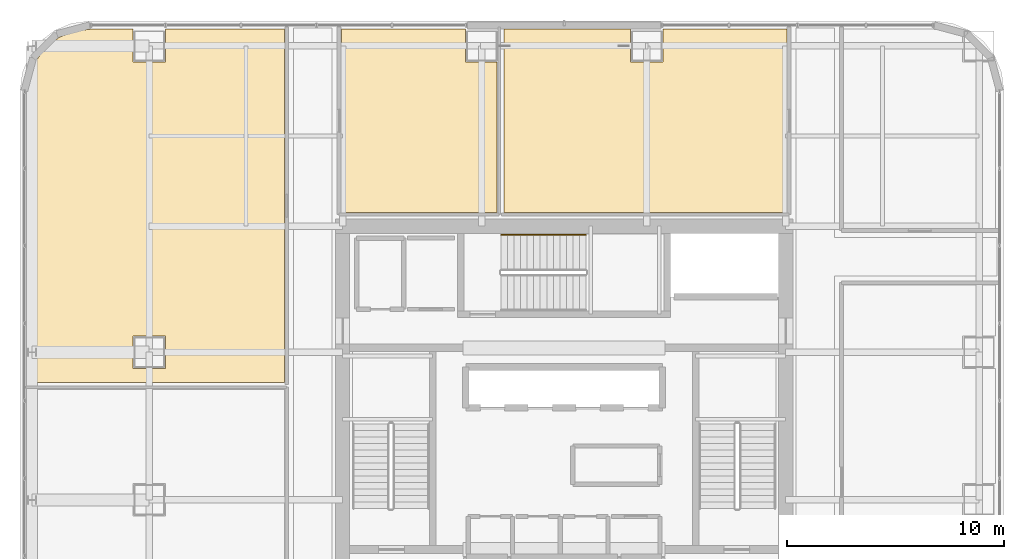
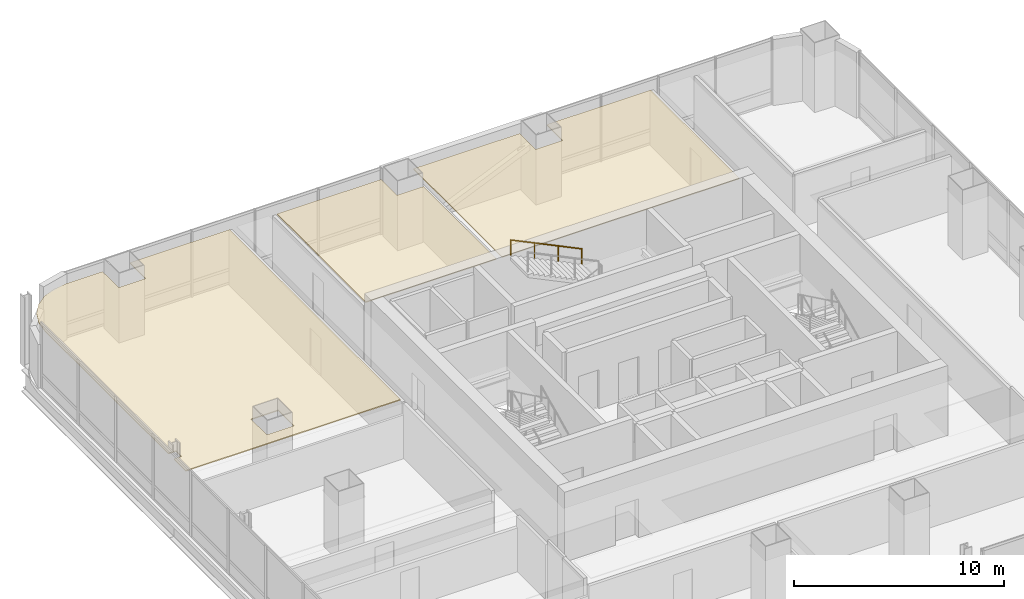
# One storey, part 36 of 38: 3 coverings, 1 railing.
"""IFC4 building model written with IfcOpenShell, lengths in metres."""

import ifcopenshell
import ifcopenshell.guid

model = None  # the IFC model being written
_history = None  # IfcOwnerHistory: only IFC2X3 demands one
_inside = {}  # id of a spatial element -> (the spatial element, [elements in it])
_under = {}  # id of a project, library or spatial element -> (it, [spatial elements below it])
_declared = {}  # id of a project -> (the project, [libraries it declares])
_typed = {}  # id of a type object -> (the type object, [elements of that type])
_made_of = {}  # id of a material, layer set ... -> (it, [elements and type objects made of it])


def new_model(schema):
    """Start an empty IFC model of exactly this schema.

    Asked for "IFC4X3", IfcOpenShell would pick the latest addendum, in which some entities
    have other attributes; the version numbers below select the first issue.
    IFC2X3 requires an IfcOwnerHistory on every rooted entity: one is made here for all.
    """
    global model, _history
    if schema == "IFC4X3":
        model = ifcopenshell.file(schema_version=(4, 3, 0, 0))
    else:
        model = ifcopenshell.file(schema=schema)
    _inside.clear()
    _under.clear()
    _declared.clear()
    _typed.clear()
    _made_of.clear()
    _history = None
    if model.schema == "IFC2X3":
        org = make("IfcOrganization", Name="unknown")
        user = make(
            "IfcPersonAndOrganization",
            ThePerson=make("IfcPerson", FamilyName="unknown"),
            TheOrganization=org,
        )
        app = make(
            "IfcApplication",
            ApplicationDeveloper=org,
            Version="unknown",
            ApplicationFullName="unknown",
            ApplicationIdentifier="unknown",
        )
        _history = make(
            "IfcOwnerHistory",
            OwningUser=user,
            OwningApplication=app,
            ChangeAction="ADDED",
            CreationDate=0,
        )
    return model


def make(cls, **values):
    """One entity of the class cls with the attributes given. An attribute that is None is left unset."""
    return model.create_entity(
        cls, **{name: value for name, value in values.items() if value is not None}
    )


def rooted(cls, **values):
    """An entity with a GlobalId (a new one), such as an element, a storey or a relation."""
    return make(cls, GlobalId=ifcopenshell.guid.new(), OwnerHistory=_history, **values)


def si_unit(unit_type, name, prefix=None):
    """IfcSIUnit, for example si_unit("LENGTHUNIT", "METRE", prefix="MILLI")."""
    return make("IfcSIUnit", UnitType=unit_type, Prefix=prefix, Name=name)


def assignment(units):
    """IfcUnitAssignment: the units of a project."""
    return None if units is None else make("IfcUnitAssignment", Units=units)


def point(xyz):
    """IfcCartesianPoint."""
    return None if xyz is None else make("IfcCartesianPoint", Coordinates=xyz)


def direction(xyz):
    """IfcDirection."""
    return None if xyz is None else make("IfcDirection", DirectionRatios=xyz)


def frame(location, z_axis=None, x_axis=None):
    """IfcAxis2Placement3D, a coordinate frame: its origin and axes. An axis left out is left unset."""
    return make(
        "IfcAxis2Placement3D",
        Location=point(location),
        Axis=direction(z_axis),
        RefDirection=direction(x_axis),
    )


def frame_2d(location, x_axis=None):
    """IfcAxis2Placement2D, a coordinate frame in the plane: its origin and x axis."""
    return make(
        "IfcAxis2Placement2D", Location=point(location), RefDirection=direction(x_axis)
    )


def origin():
    """The frame at (0, 0, 0) with its axes left unset."""
    return frame((0.0, 0.0, 0.0))


def origin_2d():
    """The frame at (0, 0) in the plane with its x axis left unset."""
    return frame_2d((0.0, 0.0))


def place(relative_to, where):
    """IfcLocalPlacement: puts the frame where relative to a parent placement (None: the world)."""
    return make(
        "IfcLocalPlacement", PlacementRelTo=relative_to, RelativePlacement=where
    )


def context(
    kind, dimensions, precision=None, world=None, true_north=None, identifier=None
):
    """IfcGeometricRepresentationContext, for example the 3D "Model" context."""
    return make(
        "IfcGeometricRepresentationContext",
        ContextIdentifier=identifier,
        ContextType=kind,
        CoordinateSpaceDimension=dimensions,
        Precision=precision,
        WorldCoordinateSystem=world,
        TrueNorth=true_north,
    )


def subcontext(parent, identifier, kind, view, scale=None):
    """IfcGeometricRepresentationSubContext, for example "Body" below "Model"."""
    return make(
        "IfcGeometricRepresentationSubContext",
        ContextIdentifier=identifier,
        ContextType=kind,
        ParentContext=parent,
        TargetScale=scale,
        TargetView=view,
    )


def project(units=None, contexts=None):
    """IfcProject with its units and contexts."""
    return rooted(
        "IfcProject",
        Name="project",
        RepresentationContexts=contexts,
        UnitsInContext=assignment(units),
    )


def spatial(cls, under=None, at=None, **own):
    """A site, building, storey or space (cls), placed at a placement, below another one or the project."""
    s = rooted(cls, ObjectPlacement=at, **own)
    if under is not None:
        _under.setdefault(under.id(), (under, []))[1].append(s)
    return s


def polyline(points):
    """IfcPolyline through the points."""
    return make("IfcPolyline", Points=[point(p) for p in points])


def profile(cls, at=None, kind="AREA", **sizes):
    """A parametric profile (cls). Its sizes go by their IFC names, for example OverallWidth=200.0."""
    return make(cls, ProfileType=kind, Position=at, **sizes)


def circle(**sizes):
    """IfcCircleProfileDef."""
    return profile("IfcCircleProfileDef", **sizes)


def outline(outer, holes=None, kind="AREA"):
    """IfcArbitraryClosedProfileDef: a profile drawn as a closed curve; with holes, ...WithVoids."""
    if holes is None:
        return make("IfcArbitraryClosedProfileDef", ProfileType=kind, OuterCurve=outer)
    return make(
        "IfcArbitraryProfileDefWithVoids",
        ProfileType=kind,
        OuterCurve=outer,
        InnerCurves=holes,
    )


def extrude(swept, where, along, depth):
    """IfcExtrudedAreaSolid: the profile swept, set in the frame where, extruded along a direction by depth."""
    return make(
        "IfcExtrudedAreaSolid",
        SweptArea=swept,
        Position=where,
        ExtrudedDirection=direction(along),
        Depth=depth,
    )


def shape(context_of_items, identifier, shape_type, items):
    """IfcShapeRepresentation: the items that make up one representation, for example the "Body"."""
    return make(
        "IfcShapeRepresentation",
        ContextOfItems=context_of_items,
        RepresentationIdentifier=identifier,
        RepresentationType=shape_type,
        Items=items,
    )


def material(Name=None, Category=None):
    """IfcMaterial."""
    return make("IfcMaterial", Name=Name, Category=Category)


def layer(
    of_material, thickness, ventilated=None, Name=None, Category=None, Priority=None
):
    """IfcMaterialLayer: one layer of a wall or slab, of a material (None: an air gap)."""
    return make(
        "IfcMaterialLayer",
        Material=of_material,
        LayerThickness=thickness,
        IsVentilated=ventilated,
        Name=Name,
        Category=Category,
        Priority=Priority,
    )


def layer_set(layers, Name=None):
    """IfcMaterialLayerSet."""
    return make("IfcMaterialLayerSet", MaterialLayers=layers, LayerSetName=Name)


def made_of(thing, what):
    """Note that an element or type object is made of a material, layer set ...; save() writes the relation."""
    if what is not None:
        _made_of.setdefault(what.id(), (what, []))[1].append(thing)
    return thing


def type_object(cls, material=None, **own):
    """A type object (cls), such as IfcWallType, which elements share."""
    return made_of(rooted(cls, **own), material)


def element(
    cls,
    number,
    at=None,
    inside=None,
    cuts=None,
    type_object=None,
    material=None,
    context=None,
    identifier="Body",
    shape_type=None,
    held_by="IfcProductDefinitionShape",
    body=None,
    shapes=None,
    **own,
):
    """One element of the class cls, such as IfcWall. Its Tag is "e" and its number.

    at: its placement. inside: the storey or other place that contains it. cuts: it is an
    opening in that element (IfcRelVoidsElement). A single representation is given by context,
    identifier, shape_type and body (its items); several are given by shapes. held_by: the class
    of the entity that holds the representations. save() writes the other relations.
    """
    e = rooted(cls, Tag="e%d" % number, ObjectPlacement=at, **own)
    if body is not None:
        shapes = [shape(context, identifier, shape_type, body)]
    if shapes is not None:
        e.Representation = make(held_by, Representations=shapes)
    if inside is not None:
        _inside.setdefault(inside.id(), (inside, []))[1].append(e)
    if cuts is not None:
        rooted(
            "IfcRelVoidsElement", RelatingBuildingElement=cuts, RelatedOpeningElement=e
        )
    if type_object is not None:
        _typed.setdefault(type_object.id(), (type_object, []))[1].append(e)
    return made_of(e, material)


def aggregate(whole, parts):
    """IfcRelAggregates: a whole, such as a stair, and the parts it consists of."""
    return rooted("IfcRelAggregates", RelatingObject=whole, RelatedObjects=parts)


def save(model, path):
    """Write the relations noted so far, then the file.

    IfcRelAggregates (storeys below a building ...), IfcRelContainedInSpatialStructure (elements
    in a storey), IfcRelDefinesByType, IfcRelAssociatesMaterial and IfcRelDeclares: one each for
    every whole, place, type object, material and project.
    """
    for whole, parts in _under.values():
        aggregate(whole, parts)
    for where, things in _inside.values():
        rooted(
            "IfcRelContainedInSpatialStructure",
            RelatedElements=things,
            RelatingStructure=where,
        )
    for kind, things in _typed.values():
        rooted("IfcRelDefinesByType", RelatedObjects=things, RelatingType=kind)
    for what, things in _made_of.values():
        rooted("IfcRelAssociatesMaterial", RelatedObjects=things, RelatingMaterial=what)
    for by, libraries in _declared.values():
        rooted("IfcRelDeclares", RelatingContext=by, RelatedDefinitions=libraries)
    model.write(path)


model = new_model("IFC4")

# Units and contexts
model_context = context("Model", 3, precision=1e-05, world=origin(), true_north=direction((0.0, 1.0)))
body_context = subcontext(model_context, "Body", "Model", "MODEL_VIEW")
ifc_project = project(units=[si_unit("LENGTHUNIT", "METRE"), si_unit("AREAUNIT", "SQUARE_METRE"), si_unit("VOLUMEUNIT", "CUBIC_METRE"), si_unit("PLANEANGLEUNIT", "RADIAN"), si_unit("MASSUNIT", "GRAM", prefix="KILO")], contexts=[model_context])

# Site, building, storey
site_placement = place(None, origin())
site = spatial("IfcSite", under=ifc_project, at=site_placement, CompositionType="ELEMENT")
building_placement = place(site_placement, origin())
building = spatial("IfcBuilding", under=site, at=building_placement, Name="Punatoya Terracotta Tower", CompositionType="ELEMENT")
storey_placement = place(building_placement, frame((0.0, 0.0, 188.39990234375)))
storey = spatial("IfcBuildingStorey", under=building, at=storey_placement, Name="L44", CompositionType="ELEMENT", Elevation=188.39990234375)

# Coverings
ifc_material_1 = material(Name="Acoustic Mineral Fibre Ceiling")
ifc_layer = layer(ifc_material_1, 0.06005859375)
ifc_layer_set = layer_set([ifc_layer], Name="Acoustic Mineral Fibre Ceiling")
covering_type = type_object("IfcCoveringType", Name="COV-CEIL-60", PredefinedType="CEILING", material=ifc_layer_set)
covering_1_placement = place(storey_placement, frame((0.0, 0.0, 3.22021484375)))
element("IfcCovering", 1, at=covering_1_placement, inside=storey, type_object=covering_type, Name="L44 Staff Tea Pantry Acoustic Ceiling", PredefinedType="CEILING", context=body_context, shape_type="SweptSolid", body=[
    extrude(outline(polyline([(-24.24560546875, 3.137451171875), (-24.669921875, 3.137451171875), (-24.669921875, 2.010009765625), (-12.8701171875, 2.010009765625), (-12.8701171875, 18.27001953125), (-18.35009765625, 18.27001953125), (-18.35009765625, 16.75), (-19.85009765625, 16.75), (-19.85009765625, 18.27001953125), (-21.8251953125, 18.27001953125), (-22.5791015625, 18.1708984375), (-23.25830078125, 17.889404296875), (-23.841796875, 17.441650390625), (-24.289306640625, 16.8583984375), (-24.57080078125, 16.178955078125), (-24.669921875, 15.425048828125), (-24.669921875, 3.66259765625), (-24.24560546875, 3.66259765625), (-24.24560546875, 3.137451171875)]), holes=[polyline([(-18.35009765625, 4.14990234375), (-18.35009765625, 2.64990234375), (-19.85009765625, 2.64990234375), (-19.85009765625, 4.14990234375), (-18.35009765625, 4.14990234375)])]), origin(), (0.0, 0.0, 1.0), 0.059814453125),
])
covering_2_placement = place(storey_placement, frame((0.0, 0.0, 3.22021484375)))
element("IfcCovering", 2, at=covering_2_placement, inside=storey, type_object=covering_type, Name="L44 Open-Plan Systems Engineering Office Acoustic Ceiling", PredefinedType="CEILING", context=body_context, shape_type="SweptSolid", body=[
    extrude(outline(polyline([(-4.550048828125, 16.75), (-4.550048828125, 18.27001953125), (-10.260009765625, 18.27001953125), (-10.260009765625, 9.840087890625), (-3.093994140625, 9.840087890625), (-3.093994140625, 16.75), (-4.550048828125, 16.75)])), origin(), (0.0, 0.0, 1.0), 0.059814453125),
])
covering_3_placement = place(storey_placement, frame((0.0, 0.0, 3.22021484375)))
element("IfcCovering", 3, at=covering_3_placement, inside=storey, type_object=covering_type, Name="L44 Open-Plan Quantitative Practice Office Acoustic Ceiling", PredefinedType="CEILING", context=body_context, shape_type="SweptSolid", body=[
    extrude(outline(polyline([(3.050048828125, 18.27001953125), (-2.77392578125, 18.27001953125), (-2.77392578125, 9.840087890625), (10.260009765625, 9.840087890625), (10.260009765625, 18.27001953125), (4.550048828125, 18.27001953125), (4.550048828125, 16.75), (3.050048828125, 16.75), (3.050048828125, 18.27001953125)])), origin(), (0.0, 0.0, 1.0), 0.059814453125),
])

# Railing
ifc_material_2 = material(Name="Steel S355", Category="steel")
railing_type = type_object("IfcRailingType", Name="RLG-HND-900", PredefinedType="HANDRAIL", material=ifc_material_2)
railing_placement = place(storey_placement, frame((1.0, 8.800048828125, 2.169677734375)))
element("IfcRailing", 4, at=railing_placement, inside=storey, type_object=railing_type, Name="L44 ST-3 stair handrail 2", PredefinedType="HANDRAIL", context=body_context, shape_type="SweptSolid", body=[
    extrude(circle(Radius=0.02392578125, at=origin_2d()), frame((0.0, 0.0, 0.8759765625), z_axis=(-0.900763166376, 0.0, 0.434310623978), x_axis=(0.0, -1.0, 0.0)), (0.0, 0.0, 1.0), 4.32958984375),
    extrude(circle(Radius=0.02099609375, at=origin_2d()), origin(), (0.0, 0.0, 1.0), 0.851806640625),
    extrude(circle(Radius=0.02099609375, at=origin_2d()), frame((-1.300048828125, 0.0, 0.626708984375)), (0.0, 0.0, 1.0), 0.851806640625),
    extrude(circle(Radius=0.02099609375, at=origin_2d()), frame((-2.599853515625, 0.0, 1.253662109375)), (0.0, 0.0, 1.0), 0.851806640625),
    extrude(circle(Radius=0.02099609375, at=origin_2d()), frame((-3.89990234375, 0.0, 1.88037109375)), (0.0, 0.0, 1.0), 0.851806640625),
])

save(model, "model.ifc")
